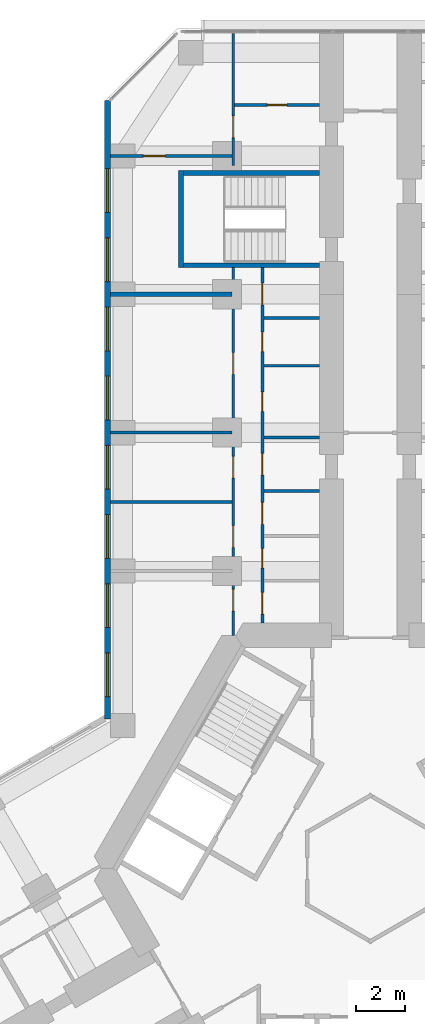
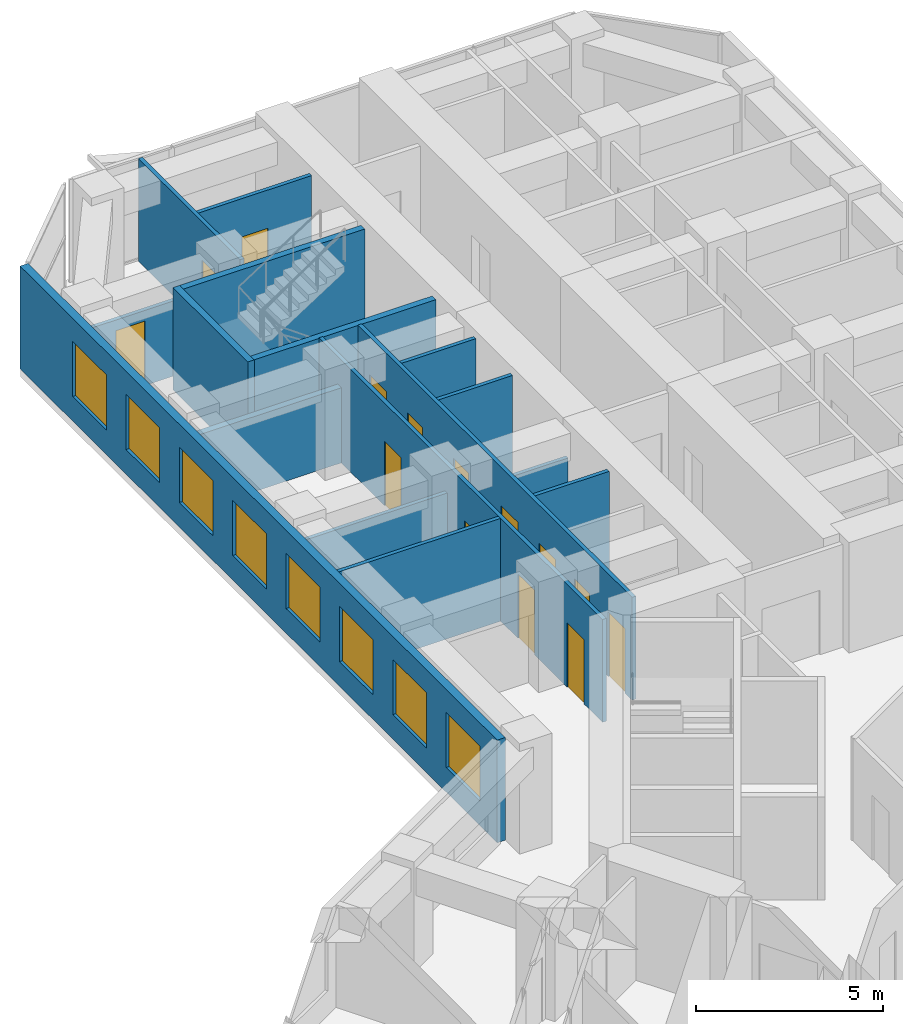
# One storey, part 17 of 21: 16 walls, 14 doors, 8 windows, 22 openings.
"""IFC4 building model written with IfcOpenShell, lengths in metres."""

from ifc_helpers import new_model, si_unit, direction, frame, frame_2d, origin, place, context, subcontext, project, spatial, rectangle, extrude, material, layer, layer_set, type_object, element, fill, save


model = new_model("IFC4")

# Units and contexts
model_context = context("Model", 3, precision=1e-05, world=origin(), true_north=direction((0.0, 1.0)))
body_context = subcontext(model_context, "Body", "Model", "MODEL_VIEW")
ifc_project = project(units=[si_unit("LENGTHUNIT", "METRE"), si_unit("AREAUNIT", "SQUARE_METRE"), si_unit("VOLUMEUNIT", "CUBIC_METRE"), si_unit("PLANEANGLEUNIT", "RADIAN"), si_unit("MASSUNIT", "GRAM", prefix="KILO")], contexts=[model_context])

# Site, building, storey
site_placement = place(None, origin())
site = spatial("IfcSite", under=ifc_project, at=site_placement, CompositionType="ELEMENT")
building_placement = place(site_placement, origin())
building = spatial("IfcBuilding", under=site, at=building_placement, Name="Kosmar Iwan School Tower", CompositionType="ELEMENT")
storey_placement = place(building_placement, frame((0.0, 0.0, 53.800048828125)))
storey = spatial("IfcBuildingStorey", under=building, at=storey_placement, Name="L12", CompositionType="ELEMENT", Elevation=53.800048828125)

# Wall, openings, doors
ifc_material_1 = material(Name="Gypsum board on steel studs", Category="steel")
ifc_layer_1 = layer(ifc_material_1, 0.1201171875)
ifc_layer_set_1 = layer_set([ifc_layer_1], Name="Dwelling partition 120")
wall_type_1 = type_object("IfcWallType", Name="Dwelling partition 120", PredefinedType="PARTITIONING", material=ifc_layer_set_1)
wall_1_placement = place(storey_placement, frame((-4.449951171875, 10.10009765625, 0.0), z_axis=(0.0, 0.0, 1.0), x_axis=(0.0, 1.0, 0.0)))
wall_1 = element("IfcWall", 1, at=wall_1_placement, inside=storey, type_object=wall_type_1, Name="Partition L12-AL1-W1", PredefinedType="PARTITIONING", context=body_context, shape_type="SweptSolid", body=[
    extrude(rectangle(XDim=14.64990234375, YDim=0.1201171875, at=frame_2d((7.324951171875, 0.0))), origin(), (0.0, 0.0, 1.0), 3.349853515625),
])
opening_1_placement = place(wall_1_placement, frame((0.375, 0.0, 0.0)))
opening_1 = element("IfcOpeningElement", 2, at=opening_1_placement, cuts=wall_1, Name="Opening D2", PredefinedType="OPENING", context=body_context, shape_type="SweptSolid", body=[
    extrude(rectangle(XDim=0.89990234375, YDim=2.10009765625, at=frame_2d((0.449951171875, 1.050048828125))), frame((0.0, 0.072021484375, 0.0), z_axis=(0.0, -1.0, 0.0), x_axis=(1.0, 0.0, 0.0)), (0.0, 0.0, 1.0), 0.14404296875),
])
opening_2_placement = place(wall_1_placement, frame((2.27490234375, 0.0, 0.0)))
opening_2 = element("IfcOpeningElement", 3, at=opening_2_placement, cuts=wall_1, Name="Opening D3", PredefinedType="OPENING", context=body_context, shape_type="SweptSolid", body=[
    extrude(rectangle(XDim=0.800048828125, YDim=2.10009765625, at=frame_2d((0.39990234375, 1.050048828125))), frame((0.0, 0.072021484375, 0.0), z_axis=(0.0, -1.0, 0.0), x_axis=(1.0, 0.0, 0.0)), (0.0, 0.0, 1.0), 0.14404296875),
])
opening_3_placement = place(wall_1_placement, frame((4.074951171875, 0.0, 0.0)))
opening_3 = element("IfcOpeningElement", 4, at=opening_3_placement, cuts=wall_1, Name="Opening D2", PredefinedType="OPENING", context=body_context, shape_type="SweptSolid", body=[
    extrude(rectangle(XDim=0.89990234375, YDim=2.10009765625, at=frame_2d((0.449951171875, 1.050048828125))), frame((0.0, 0.072021484375, 0.0), z_axis=(0.0, -1.0, 0.0), x_axis=(1.0, 0.0, 0.0)), (0.0, 0.0, 1.0), 0.14404296875),
])
opening_4_placement = place(wall_1_placement, frame((6.10009765625, 0.0, 0.0)))
opening_4 = element("IfcOpeningElement", 5, at=opening_4_placement, cuts=wall_1, Name="Opening D2", PredefinedType="OPENING", context=body_context, shape_type="SweptSolid", body=[
    extrude(rectangle(XDim=0.89990234375, YDim=2.10009765625, at=frame_2d((0.449951171875, 1.050048828125))), frame((0.0, 0.072021484375, 0.0), z_axis=(0.0, -1.0, 0.0), x_axis=(1.0, 0.0, 0.0)), (0.0, 0.0, 1.0), 0.14404296875),
])
opening_5_placement = place(wall_1_placement, frame((8.728515625, 0.0, 0.0)))
opening_5 = element("IfcOpeningElement", 6, at=opening_5_placement, cuts=wall_1, Name="Opening D3", PredefinedType="OPENING", context=body_context, shape_type="SweptSolid", body=[
    extrude(rectangle(XDim=0.800048828125, YDim=2.10009765625, at=frame_2d((0.39990234375, 1.050048828125))), frame((0.0, 0.072021484375, 0.0), z_axis=(0.0, -1.0, 0.0), x_axis=(1.0, 0.0, 0.0)), (0.0, 0.0, 1.0), 0.14404296875),
])
opening_6_placement = place(wall_1_placement, frame((11.19287109375, 0.0, 0.0)))
opening_6 = element("IfcOpeningElement", 7, at=opening_6_placement, cuts=wall_1, Name="Opening D3", PredefinedType="OPENING", context=body_context, shape_type="SweptSolid", body=[
    extrude(rectangle(XDim=0.800048828125, YDim=2.10009765625, at=frame_2d((0.39990234375, 1.050048828125))), frame((0.0, 0.072021484375, 0.0), z_axis=(0.0, -1.0, 0.0), x_axis=(1.0, 0.0, 0.0)), (0.0, 0.0, 1.0), 0.14404296875),
])
opening_7_placement = place(wall_1_placement, frame((13.1142578125, 0.0, 0.0)))
opening_7 = element("IfcOpeningElement", 8, at=opening_7_placement, cuts=wall_1, Name="Opening D2", PredefinedType="OPENING", context=body_context, shape_type="SweptSolid", body=[
    extrude(rectangle(XDim=0.89990234375, YDim=2.10009765625, at=frame_2d((0.449951171875, 1.050048828125))), frame((0.0, 0.072021484375, 0.0), z_axis=(0.0, -1.0, 0.0), x_axis=(1.0, 0.0, 0.0)), (0.0, 0.0, 1.0), 0.14404296875),
])
ifc_material_2 = material(Name="Timber door in timber frame", Category="wood")
door_type_1 = type_object("IfcDoorType", Name="Internal door 900x2100", OperationType="SINGLE_SWING_LEFT", PredefinedType="DOOR", material=ifc_material_2)
door_1_placement = place(opening_1_placement, origin())
door_1 = element("IfcDoor", 9, at=door_1_placement, inside=storey, type_object=door_type_1, Name="Dressing room door L12-AL1-S1", OperationType="SINGLE_SWING_LEFT", OverallHeight=2.10009765625, OverallWidth=0.89990234375, PredefinedType="DOOR", context=body_context, shape_type="SweptSolid", body=[
    extrude(rectangle(XDim=0.89990234375, YDim=2.10009765625, at=frame_2d((0.449951171875, 1.050048828125))), frame((0.0, 0.02490234375, 0.0), z_axis=(0.0, -1.0, 0.0), x_axis=(1.0, 0.0, 0.0)), (0.0, 0.0, 1.0), 0.050048828125),
])
fill(opening_1, door_1)
door_2_placement = place(opening_3_placement, origin())
door_2 = element("IfcDoor", 10, at=door_2_placement, inside=storey, type_object=door_type_1, Name="Pantry door L12-AL1-S3", OperationType="SINGLE_SWING_LEFT", OverallHeight=2.10009765625, OverallWidth=0.89990234375, PredefinedType="DOOR", context=body_context, shape_type="SweptSolid", body=[
    extrude(rectangle(XDim=0.89990234375, YDim=2.10009765625, at=frame_2d((0.449951171875, 1.050048828125))), frame((0.0, 0.02490234375, 0.0), z_axis=(0.0, -1.0, 0.0), x_axis=(1.0, 0.0, 0.0)), (0.0, 0.0, 1.0), 0.050048828125),
])
fill(opening_3, door_2)
door_3_placement = place(opening_4_placement, origin())
door_3 = element("IfcDoor", 11, at=door_3_placement, inside=storey, type_object=door_type_1, Name="Entrance hall door L12-AL1-S4", OperationType="SINGLE_SWING_LEFT", OverallHeight=2.10009765625, OverallWidth=0.89990234375, PredefinedType="DOOR", context=body_context, shape_type="SweptSolid", body=[
    extrude(rectangle(XDim=0.89990234375, YDim=2.10009765625, at=frame_2d((0.449951171875, 1.050048828125))), frame((0.0, 0.02490234375, 0.0), z_axis=(0.0, -1.0, 0.0), x_axis=(1.0, 0.0, 0.0)), (0.0, 0.0, 1.0), 0.050048828125),
])
fill(opening_4, door_3)
door_4_placement = place(opening_7_placement, frame((0.89990234375, 0.0, 0.0), z_axis=(0.0, 0.0, 1.0), x_axis=(-1.0, 0.0, 0.0)))
door_4 = element("IfcDoor", 12, at=door_4_placement, inside=storey, type_object=door_type_1, Name="Utility room door L12-AL1-S7", OperationType="SINGLE_SWING_LEFT", OverallHeight=2.10009765625, OverallWidth=0.89990234375, PredefinedType="DOOR", context=body_context, shape_type="SweptSolid", body=[
    extrude(rectangle(XDim=0.89990234375, YDim=2.10009765625, at=frame_2d((0.449951171875, 1.050048828125))), frame((0.0, 0.02490234375, 0.0), z_axis=(0.0, -1.0, 0.0), x_axis=(1.0, 0.0, 0.0)), (0.0, 0.0, 1.0), 0.050048828125),
])
fill(opening_7, door_4)
ifc_material_3 = material(Name="Timber door in timber frame", Category="wood")
door_type_2 = type_object("IfcDoorType", Name="Sanitary room door 800x2100", OperationType="SINGLE_SWING_LEFT", PredefinedType="DOOR", material=ifc_material_3)
door_5_placement = place(opening_2_placement, origin())
door_5 = element("IfcDoor", 13, at=door_5_placement, inside=storey, type_object=door_type_2, Name="Store door L12-AL1-S2", OperationType="SINGLE_SWING_LEFT", OverallHeight=2.10009765625, OverallWidth=0.800048828125, PredefinedType="DOOR", context=body_context, shape_type="SweptSolid", body=[
    extrude(rectangle(XDim=0.800048828125, YDim=2.10009765625, at=frame_2d((0.39990234375, 1.050048828125))), frame((0.0, 0.02490234375, 0.0), z_axis=(0.0, -1.0, 0.0), x_axis=(1.0, 0.0, 0.0)), (0.0, 0.0, 1.0), 0.050048828125),
])
fill(opening_2, door_5)
door_6_placement = place(opening_5_placement, origin())
door_6 = element("IfcDoor", 14, at=door_6_placement, inside=storey, type_object=door_type_2, Name="Bathroom door L12-AL1-S5", OperationType="SINGLE_SWING_RIGHT", OverallHeight=2.10009765625, OverallWidth=0.800048828125, PredefinedType="DOOR", context=body_context, shape_type="SweptSolid", body=[
    extrude(rectangle(XDim=0.800048828125, YDim=2.10009765625, at=frame_2d((0.39990234375, 1.050048828125))), frame((0.0, 0.02490234375, 0.0), z_axis=(0.0, -1.0, 0.0), x_axis=(1.0, 0.0, 0.0)), (0.0, 0.0, 1.0), 0.050048828125),
])
fill(opening_5, door_6)
door_7_placement = place(opening_6_placement, origin())
door_7 = element("IfcDoor", 15, at=door_7_placement, inside=storey, type_object=door_type_2, Name="WC door L12-AL1-S6", OperationType="SINGLE_SWING_RIGHT", OverallHeight=2.10009765625, OverallWidth=0.800048828125, PredefinedType="DOOR", context=body_context, shape_type="SweptSolid", body=[
    extrude(rectangle(XDim=0.800048828125, YDim=2.10009765625, at=frame_2d((0.39990234375, 1.050048828125))), frame((0.0, 0.02490234375, 0.0), z_axis=(0.0, -1.0, 0.0), x_axis=(1.0, 0.0, 0.0)), (0.0, 0.0, 1.0), 0.050048828125),
])
fill(opening_6, door_7)

wall_2_placement = place(storey_placement, frame((-5.64990234375, 9.60009765625, 0.0), z_axis=(0.0, 0.0, 1.0), x_axis=(0.0, 1.0, 0.0)))
wall_2 = element("IfcWall", 16, at=wall_2_placement, inside=storey, type_object=wall_type_1, Name="Partition L12-AL1-W2", PredefinedType="PARTITIONING", context=body_context, shape_type="SweptSolid", body=[
    extrude(rectangle(XDim=15.14990234375, YDim=0.1201171875, at=frame_2d((7.574951171875, 0.0))), origin(), (0.0, 0.0, 1.0), 3.349853515625),
])
opening_8_placement = place(wall_2_placement, frame((1.0, 0.0, 0.0)))
opening_8 = element("IfcOpeningElement", 17, at=opening_8_placement, cuts=wall_2, Name="Opening D2", PredefinedType="OPENING", context=body_context, shape_type="SweptSolid", body=[
    extrude(rectangle(XDim=0.89990234375, YDim=2.10009765625, at=frame_2d((0.449951171875, 1.050048828125))), frame((0.0, 0.072021484375, 0.0), z_axis=(0.0, -1.0, 0.0), x_axis=(1.0, 0.0, 0.0)), (0.0, 0.0, 1.0), 0.14404296875),
])
opening_9_placement = place(wall_2_placement, frame((3.625, 0.0, 0.0)))
opening_9 = element("IfcOpeningElement", 18, at=opening_9_placement, cuts=wall_2, Name="Opening D2", PredefinedType="OPENING", context=body_context, shape_type="SweptSolid", body=[
    extrude(rectangle(XDim=0.89990234375, YDim=2.10009765625, at=frame_2d((0.449951171875, 1.050048828125))), frame((0.0, 0.072021484375, 0.0), z_axis=(0.0, -1.0, 0.0), x_axis=(1.0, 0.0, 0.0)), (0.0, 0.0, 1.0), 0.14404296875),
])
opening_10_placement = place(wall_2_placement, frame((6.47509765625, 0.0, 0.0)))
opening_10 = element("IfcOpeningElement", 19, at=opening_10_placement, cuts=wall_2, Name="Opening D2", PredefinedType="OPENING", context=body_context, shape_type="SweptSolid", body=[
    extrude(rectangle(XDim=0.89990234375, YDim=2.10009765625, at=frame_2d((0.449951171875, 1.050048828125))), frame((0.0, 0.072021484375, 0.0), z_axis=(0.0, -1.0, 0.0), x_axis=(1.0, 0.0, 0.0)), (0.0, 0.0, 1.0), 0.14404296875),
])
opening_11_placement = place(wall_2_placement, frame((10.75, 0.0, 0.0)))
opening_11 = element("IfcOpeningElement", 20, at=opening_11_placement, cuts=wall_2, Name="Opening D2", PredefinedType="OPENING", context=body_context, shape_type="SweptSolid", body=[
    extrude(rectangle(XDim=0.89990234375, YDim=2.10009765625, at=frame_2d((0.449951171875, 1.050048828125))), frame((0.0, 0.072021484375, 0.0), z_axis=(0.0, -1.0, 0.0), x_axis=(1.0, 0.0, 0.0)), (0.0, 0.0, 1.0), 0.14404296875),
])
door_8_placement = place(opening_8_placement, origin())
door_8 = element("IfcDoor", 21, at=door_8_placement, inside=storey, type_object=door_type_1, Name="Family room door L12-AL1-F1", OperationType="SINGLE_SWING_LEFT", OverallHeight=2.10009765625, OverallWidth=0.89990234375, PredefinedType="DOOR", context=body_context, shape_type="SweptSolid", body=[
    extrude(rectangle(XDim=0.89990234375, YDim=2.10009765625, at=frame_2d((0.449951171875, 1.050048828125))), frame((0.0, 0.02490234375, 0.0), z_axis=(0.0, -1.0, 0.0), x_axis=(1.0, 0.0, 0.0)), (0.0, 0.0, 1.0), 0.050048828125),
])
fill(opening_8, door_8)
door_9_placement = place(opening_9_placement, origin())
door_9 = element("IfcDoor", 22, at=door_9_placement, inside=storey, type_object=door_type_1, Name="Study door L12-AL1-F2", OperationType="SINGLE_SWING_LEFT", OverallHeight=2.10009765625, OverallWidth=0.89990234375, PredefinedType="DOOR", context=body_context, shape_type="SweptSolid", body=[
    extrude(rectangle(XDim=0.89990234375, YDim=2.10009765625, at=frame_2d((0.449951171875, 1.050048828125))), frame((0.0, 0.02490234375, 0.0), z_axis=(0.0, -1.0, 0.0), x_axis=(1.0, 0.0, 0.0)), (0.0, 0.0, 1.0), 0.050048828125),
])
fill(opening_9, door_9)
door_10_placement = place(opening_10_placement, origin())
door_10 = element("IfcDoor", 23, at=door_10_placement, inside=storey, type_object=door_type_1, Name="Bedroom 1 door L12-AL1-F3", OperationType="SINGLE_SWING_RIGHT", OverallHeight=2.10009765625, OverallWidth=0.89990234375, PredefinedType="DOOR", context=body_context, shape_type="SweptSolid", body=[
    extrude(rectangle(XDim=0.89990234375, YDim=2.10009765625, at=frame_2d((0.449951171875, 1.050048828125))), frame((0.0, 0.02490234375, 0.0), z_axis=(0.0, -1.0, 0.0), x_axis=(1.0, 0.0, 0.0)), (0.0, 0.0, 1.0), 0.050048828125),
])
fill(opening_10, door_10)
door_11_placement = place(opening_11_placement, origin())
door_11 = element("IfcDoor", 24, at=door_11_placement, inside=storey, type_object=door_type_1, Name="Living room and kitchen door L12-AL1-F4", OperationType="SINGLE_SWING_LEFT", OverallHeight=2.10009765625, OverallWidth=0.89990234375, PredefinedType="DOOR", context=body_context, shape_type="SweptSolid", body=[
    extrude(rectangle(XDim=0.89990234375, YDim=2.10009765625, at=frame_2d((0.449951171875, 1.050048828125))), frame((0.0, 0.02490234375, 0.0), z_axis=(0.0, -1.0, 0.0), x_axis=(1.0, 0.0, 0.0)), (0.0, 0.0, 1.0), 0.050048828125),
])
fill(opening_11, door_11)

# Walls
wall_3_placement = place(storey_placement, frame((-5.7099609375, 15.10009765625, 0.0), z_axis=(0.0, 0.0, 1.0), x_axis=(-1.0, 0.0, 0.0)))
element("IfcWall", 25, at=wall_3_placement, inside=storey, type_object=wall_type_1, Name="Partition L12-AL1-X2", PredefinedType="PARTITIONING", context=body_context, shape_type="SweptSolid", body=[
    extrude(rectangle(XDim=4.989990234375, YDim=0.1201171875, at=frame_2d((2.4951171875, 0.0))), origin(), (0.0, 0.0, 1.0), 3.349853515625),
])
wall_4_placement = place(storey_placement, frame((-5.7099609375, 17.949951171875, 0.0), z_axis=(0.0, 0.0, 1.0), x_axis=(-1.0, 0.0, 0.0)))
element("IfcWall", 26, at=wall_4_placement, inside=storey, type_object=wall_type_1, Name="Partition L12-AL1-X3", PredefinedType="PARTITIONING", context=body_context, shape_type="SweptSolid", body=[
    extrude(rectangle(XDim=4.989990234375, YDim=0.1201171875, at=frame_2d((2.4951171875, 0.0))), origin(), (0.0, 0.0, 1.0), 2.449951171875),
])
wall_5_placement = place(storey_placement, frame((-2.10009765625, 15.550048828125, 0.0), z_axis=(0.0, 0.0, 1.0), x_axis=(-1.0, 0.0, 0.0)))
element("IfcWall", 27, at=wall_5_placement, inside=storey, type_object=wall_type_1, Name="Partition L12-AL1-Y3", PredefinedType="PARTITIONING", context=body_context, shape_type="SweptSolid", body=[
    extrude(rectangle(XDim=2.289794921875, YDim=0.1201171875, at=frame_2d((1.14501953125, 0.0))), origin(), (0.0, 0.0, 1.0), 3.349853515625),
])
wall_6_placement = place(storey_placement, frame((-2.10009765625, 17.75, 0.0), z_axis=(0.0, 0.0, 1.0), x_axis=(-1.0, 0.0, 0.0)))
element("IfcWall", 28, at=wall_6_placement, inside=storey, type_object=wall_type_1, Name="Partition L12-AL1-Y4", PredefinedType="PARTITIONING", context=body_context, shape_type="SweptSolid", body=[
    extrude(rectangle(XDim=2.289794921875, YDim=0.1201171875, at=frame_2d((1.14501953125, 0.0))), origin(), (0.0, 0.0, 1.0), 2.449951171875),
])
for number, where, z_axis, x_axis, name in (
    (29, (-2.10009765625, 20.70703125, 0.0), (0.0, 0.0, 1.0), (-1.0, 0.0, 0.0), "Partition L12-AL1-Y5"),
    (30, (-2.10009765625, 22.678466796875, 0.0), (0.0, 0.0, 1.0), (-1.0, 0.0, 0.0), "Partition L12-AL1-Y6"),
):
    element("IfcWall", number, at=place(storey_placement, frame(where, z_axis=z_axis, x_axis=x_axis)), inside=storey, type_object=wall_type_1, Name=name, PredefinedType="PARTITIONING", context=body_context, shape_type="SweptSolid", body=[
        extrude(rectangle(XDim=2.289794921875, YDim=0.1201171875, at=frame_2d((1.14501953125, 0.0))), origin(), (0.0, 0.0, 1.0), 3.349853515625),
    ])

# Wall, opening, door
wall_7_placement = place(storey_placement, frame((-5.7099609375, 29.35009765625, 0.0), z_axis=(0.0, 0.0, 1.0), x_axis=(-1.0, 0.0, 0.0)))
wall_7 = element("IfcWall", 31, at=wall_7_placement, inside=storey, type_object=wall_type_1, Name="Partition L12-AL2-TX", PredefinedType="PARTITIONING", context=body_context, shape_type="SweptSolid", body=[
    extrude(rectangle(XDim=4.989990234375, YDim=0.1201171875, at=frame_2d((2.4951171875, 0.0))), origin(), (0.0, 0.0, 1.0), 2.449951171875),
])
opening_12_placement = place(wall_7_placement, frame((2.739990234375, 0.0, 0.0)))
opening_12 = element("IfcOpeningElement", 32, at=opening_12_placement, cuts=wall_7, Name="Opening D2", PredefinedType="OPENING", context=body_context, shape_type="SweptSolid", body=[
    extrude(rectangle(XDim=0.89990234375, YDim=2.10009765625, at=frame_2d((0.449951171875, 1.050048828125))), frame((0.0, 0.072021484375, 0.0), z_axis=(0.0, -1.0, 0.0), x_axis=(1.0, 0.0, 0.0)), (0.0, 0.0, 1.0), 0.14404296875),
])
door_12_placement = place(opening_12_placement, origin())
door_12 = element("IfcDoor", 33, at=door_12_placement, inside=storey, type_object=door_type_1, Name="Bedroom 1 door L12-AL2-T1", OperationType="SINGLE_SWING_RIGHT", OverallHeight=2.10009765625, OverallWidth=0.89990234375, PredefinedType="DOOR", context=body_context, shape_type="SweptSolid", body=[
    extrude(rectangle(XDim=0.89990234375, YDim=2.10009765625, at=frame_2d((0.449951171875, 1.050048828125))), frame((0.0, 0.02490234375, 0.0), z_axis=(0.0, -1.0, 0.0), x_axis=(1.0, 0.0, 0.0)), (0.0, 0.0, 1.0), 0.050048828125),
])
fill(opening_12, door_12)

wall_8_placement = place(storey_placement, frame((-5.64990234375, 28.949951171875, 0.0), z_axis=(0.0, 0.0, 1.0), x_axis=(0.0, 1.0, 0.0)))
wall_8 = element("IfcWall", 34, at=wall_8_placement, inside=storey, type_object=wall_type_1, Name="Partition L12-AL2-TW", PredefinedType="PARTITIONING", context=body_context, shape_type="SweptSolid", body=[
    extrude(rectangle(XDim=5.445068359375, YDim=0.1201171875, at=frame_2d((2.72265625, 0.0))), origin(), (0.0, 0.0, 1.0), 3.349853515625),
])
opening_13_placement = place(wall_8_placement, frame((1.14990234375, 0.0, 0.0)))
opening_13 = element("IfcOpeningElement", 35, at=opening_13_placement, cuts=wall_8, Name="Opening D2", PredefinedType="OPENING", context=body_context, shape_type="SweptSolid", body=[
    extrude(rectangle(XDim=0.89990234375, YDim=2.10009765625, at=frame_2d((0.449951171875, 1.050048828125))), frame((0.0, 0.072021484375, 0.0), z_axis=(0.0, -1.0, 0.0), x_axis=(1.0, 0.0, 0.0)), (0.0, 0.0, 1.0), 0.14404296875),
])
door_13_placement = place(opening_13_placement, origin())
door_13 = element("IfcDoor", 36, at=door_13_placement, inside=storey, type_object=door_type_1, Name="Entrance hall door L12-AL2-T3", OperationType="SINGLE_SWING_LEFT", OverallHeight=2.10009765625, OverallWidth=0.89990234375, PredefinedType="DOOR", context=body_context, shape_type="SweptSolid", body=[
    extrude(rectangle(XDim=0.89990234375, YDim=2.10009765625, at=frame_2d((0.449951171875, 1.050048828125))), frame((0.0, 0.02490234375, 0.0), z_axis=(0.0, -1.0, 0.0), x_axis=(1.0, 0.0, 0.0)), (0.0, 0.0, 1.0), 0.050048828125),
])
fill(opening_13, door_13)

wall_9_placement = place(storey_placement, frame((-2.10009765625, 31.449951171875, 0.0), z_axis=(0.0, 0.0, 1.0), x_axis=(-1.0, 0.0, 0.0)))
wall_9 = element("IfcWall", 37, at=wall_9_placement, inside=storey, type_object=wall_type_1, Name="Partition L12-AL2-TY", PredefinedType="PARTITIONING", context=body_context, shape_type="SweptSolid", body=[
    extrude(rectangle(XDim=3.489990234375, YDim=0.1201171875, at=frame_2d((1.7451171875, 0.0))), origin(), (0.0, 0.0, 1.0), 3.349853515625),
])
opening_14_placement = place(wall_9_placement, frame((1.344970703125, 0.0, 0.0)))
opening_14 = element("IfcOpeningElement", 38, at=opening_14_placement, cuts=wall_9, Name="Opening D3", PredefinedType="OPENING", context=body_context, shape_type="SweptSolid", body=[
    extrude(rectangle(XDim=0.800048828125, YDim=2.10009765625, at=frame_2d((0.39990234375, 1.050048828125))), frame((0.0, 0.072021484375, 0.0), z_axis=(0.0, -1.0, 0.0), x_axis=(1.0, 0.0, 0.0)), (0.0, 0.0, 1.0), 0.14404296875),
])
door_14_placement = place(opening_14_placement, origin())
door_14 = element("IfcDoor", 39, at=door_14_placement, inside=storey, type_object=door_type_2, Name="Bathroom door L12-AL2-T4", OperationType="SINGLE_SWING_LEFT", OverallHeight=2.10009765625, OverallWidth=0.800048828125, PredefinedType="DOOR", context=body_context, shape_type="SweptSolid", body=[
    extrude(rectangle(XDim=0.800048828125, YDim=2.10009765625, at=frame_2d((0.39990234375, 1.050048828125))), frame((0.0, 0.02490234375, 0.0), z_axis=(0.0, -1.0, 0.0), x_axis=(1.0, 0.0, 0.0)), (0.0, 0.0, 1.0), 0.050048828125),
])
fill(opening_14, door_14)

# Walls
ifc_material_4 = material(Name="Concrete C35/45", Category="concrete")
ifc_layer_2 = layer(ifc_material_4, 0.199951171875)
ifc_layer_set_2 = layer_set([ifc_layer_2], Name="Escape stair wall 200")
wall_type_2 = type_object("IfcWallType", Name="Escape stair wall 200", PredefinedType="SHEAR", material=ifc_layer_set_2)
for number, where, z_axis, x_axis, name in (
    (40, (-2.10009765625, 24.85009765625, 0.0), (0.0, 0.0, 1.0), (-1.0, 0.0, 0.0), "Stair WS1 wall"),
    (41, (-2.10009765625, 28.64990234375, 0.0), (0.0, 0.0, 1.0), (-1.0, 0.0, 0.0), "Stair WS1 wall"),
):
    element("IfcWall", number, at=place(storey_placement, frame(where, z_axis=z_axis, x_axis=x_axis)), inside=storey, type_object=wall_type_2, Name=name, PredefinedType="SHEAR", context=body_context, shape_type="SweptSolid", body=[
        extrude(rectangle(XDim=5.7998046875, YDim=0.199951171875, at=frame_2d((2.89990234375, 0.0))), origin(), (0.0, 0.0, 1.0), 3.329833984375),
    ])
wall_10_placement = place(storey_placement, frame((-7.800048828125, 24.75, 0.0), z_axis=(0.0, 0.0, 1.0), x_axis=(0.0, 1.0, 0.0)))
element("IfcWall", 42, at=wall_10_placement, inside=storey, type_object=wall_type_2, Name="Stair WS1 wall", PredefinedType="SHEAR", context=body_context, shape_type="SweptSolid", body=[
    extrude(rectangle(XDim=4.0, YDim=0.199951171875, at=frame_2d((2.0, 0.0))), origin(), (0.0, 0.0, 1.0), 3.329833984375),
])

# Wall, openings, windows
ifc_material_5 = material(Name="Black aluminium rainscreen on insulated framing", Category="aluminium")
ifc_layer_3 = layer(ifc_material_5, 0.25)
ifc_layer_set_3 = layer_set([ifc_layer_3], Name="External wall rainscreen 250")
wall_type_3 = type_object("IfcWallType", Name="External wall rainscreen 250", PredefinedType="SOLIDWALL", material=ifc_layer_set_3)
wall_11_placement = place(storey_placement, frame((-10.824951171875, 6.14794921875, 0.0), z_axis=(0.0, 0.0, 1.0), x_axis=(0.0, 1.0, 0.0)))
wall_11 = element("IfcWall", 43, at=wall_11_placement, inside=storey, type_object=wall_type_3, Name="External wall AL L12", PredefinedType="SOLIDWALL", context=body_context, shape_type="SweptSolid", body=[
    extrude(rectangle(XDim=25.4873046875, YDim=0.25, at=frame_2d((12.74365234375, 0.0))), origin(), (0.0, 0.0, 1.0), 3.349853515625),
])
opening_15_placement = place(wall_11_placement, frame((0.927001953125, 0.0, 0.800048828125)))
opening_15 = element("IfcOpeningElement", 44, at=opening_15_placement, cuts=wall_11, Name="Opening W1", PredefinedType="OPENING", context=body_context, shape_type="SweptSolid", body=[
    extrude(rectangle(XDim=1.800048828125, YDim=1.800048828125, at=frame_2d((0.89990234375, 0.89990234375))), frame((0.0, 0.136962890625, 0.0), z_axis=(0.0, -1.0, 0.0), x_axis=(1.0, 0.0, 0.0)), (0.0, 0.0, 1.0), 0.27392578125),
])
opening_16_placement = place(wall_11_placement, frame((3.777099609375, 0.0, 0.800048828125)))
opening_16 = element("IfcOpeningElement", 45, at=opening_16_placement, cuts=wall_11, Name="Opening W1", PredefinedType="OPENING", context=body_context, shape_type="SweptSolid", body=[
    extrude(rectangle(XDim=1.800048828125, YDim=1.800048828125, at=frame_2d((0.89990234375, 0.89990234375))), frame((0.0, 0.136962890625, 0.0), z_axis=(0.0, -1.0, 0.0), x_axis=(1.0, 0.0, 0.0)), (0.0, 0.0, 1.0), 0.27392578125),
])
opening_17_placement = place(wall_11_placement, frame((6.626953125, 0.0, 0.800048828125)))
opening_17 = element("IfcOpeningElement", 46, at=opening_17_placement, cuts=wall_11, Name="Opening W1", PredefinedType="OPENING", context=body_context, shape_type="SweptSolid", body=[
    extrude(rectangle(XDim=1.800048828125, YDim=1.800048828125, at=frame_2d((0.89990234375, 0.89990234375))), frame((0.0, 0.136962890625, 0.0), z_axis=(0.0, -1.0, 0.0), x_axis=(1.0, 0.0, 0.0)), (0.0, 0.0, 1.0), 0.27392578125),
])
opening_18_placement = place(wall_11_placement, frame((9.47705078125, 0.0, 0.800048828125)))
opening_18 = element("IfcOpeningElement", 47, at=opening_18_placement, cuts=wall_11, Name="Opening W1", PredefinedType="OPENING", context=body_context, shape_type="SweptSolid", body=[
    extrude(rectangle(XDim=1.800048828125, YDim=1.800048828125, at=frame_2d((0.89990234375, 0.89990234375))), frame((0.0, 0.136962890625, 0.0), z_axis=(0.0, -1.0, 0.0), x_axis=(1.0, 0.0, 0.0)), (0.0, 0.0, 1.0), 0.27392578125),
])
opening_19_placement = place(wall_11_placement, frame((12.326904296875, 0.0, 0.800048828125)))
opening_19 = element("IfcOpeningElement", 48, at=opening_19_placement, cuts=wall_11, Name="Opening W1", PredefinedType="OPENING", context=body_context, shape_type="SweptSolid", body=[
    extrude(rectangle(XDim=1.800048828125, YDim=1.800048828125, at=frame_2d((0.89990234375, 0.89990234375))), frame((0.0, 0.136962890625, 0.0), z_axis=(0.0, -1.0, 0.0), x_axis=(1.0, 0.0, 0.0)), (0.0, 0.0, 1.0), 0.27392578125),
])
opening_20_placement = place(wall_11_placement, frame((15.177001953125, 0.0, 0.800048828125)))
opening_20 = element("IfcOpeningElement", 49, at=opening_20_placement, cuts=wall_11, Name="Opening W1", PredefinedType="OPENING", context=body_context, shape_type="SweptSolid", body=[
    extrude(rectangle(XDim=1.800048828125, YDim=1.800048828125, at=frame_2d((0.89990234375, 0.89990234375))), frame((0.0, 0.136962890625, 0.0), z_axis=(0.0, -1.0, 0.0), x_axis=(1.0, 0.0, 0.0)), (0.0, 0.0, 1.0), 0.27392578125),
])
opening_21_placement = place(wall_11_placement, frame((18.027099609375, 0.0, 0.800048828125)))
opening_21 = element("IfcOpeningElement", 50, at=opening_21_placement, cuts=wall_11, Name="Opening W1", PredefinedType="OPENING", context=body_context, shape_type="SweptSolid", body=[
    extrude(rectangle(XDim=1.800048828125, YDim=1.800048828125, at=frame_2d((0.89990234375, 0.89990234375))), frame((0.0, 0.136962890625, 0.0), z_axis=(0.0, -1.0, 0.0), x_axis=(1.0, 0.0, 0.0)), (0.0, 0.0, 1.0), 0.27392578125),
])
opening_22_placement = place(wall_11_placement, frame((20.876953125, 0.0, 0.800048828125)))
opening_22 = element("IfcOpeningElement", 51, at=opening_22_placement, cuts=wall_11, Name="Opening W1", PredefinedType="OPENING", context=body_context, shape_type="SweptSolid", body=[
    extrude(rectangle(XDim=1.800048828125, YDim=1.800048828125, at=frame_2d((0.89990234375, 0.89990234375))), frame((0.0, 0.136962890625, 0.0), z_axis=(0.0, -1.0, 0.0), x_axis=(1.0, 0.0, 0.0)), (0.0, 0.0, 1.0), 0.27392578125),
])
ifc_material_6 = material(Name="Black aluminium frame with dark triple glazing", Category="aluminium")
window_type = type_object("IfcWindowType", Name="Window 1800x1800", PartitioningType="SINGLE_PANEL", PredefinedType="WINDOW", material=ifc_material_6)
window_1_placement = place(opening_15_placement, origin())
window_1 = element("IfcWindow", 52, at=window_1_placement, inside=storey, type_object=window_type, Name="Window AL L12 -1", OverallHeight=1.800048828125, OverallWidth=1.800048828125, PartitioningType="SINGLE_PANEL", PredefinedType="WINDOW", context=body_context, shape_type="SweptSolid", body=[
    extrude(rectangle(XDim=1.800048828125, YDim=1.800048828125, at=frame_2d((0.89990234375, 0.89990234375))), frame((0.0, 0.030029296875, 0.0), z_axis=(0.0, -1.0, 0.0), x_axis=(1.0, 0.0, 0.0)), (0.0, 0.0, 1.0), 0.06005859375),
])
fill(opening_15, window_1)
window_2_placement = place(opening_16_placement, origin())
window_2 = element("IfcWindow", 53, at=window_2_placement, inside=storey, type_object=window_type, Name="Window AL L12 0", OverallHeight=1.800048828125, OverallWidth=1.800048828125, PartitioningType="SINGLE_PANEL", PredefinedType="WINDOW", context=body_context, shape_type="SweptSolid", body=[
    extrude(rectangle(XDim=1.800048828125, YDim=1.800048828125, at=frame_2d((0.89990234375, 0.89990234375))), frame((0.0, 0.030029296875, 0.0), z_axis=(0.0, -1.0, 0.0), x_axis=(1.0, 0.0, 0.0)), (0.0, 0.0, 1.0), 0.06005859375),
])
fill(opening_16, window_2)
window_3_placement = place(opening_17_placement, origin())
window_3 = element("IfcWindow", 54, at=window_3_placement, inside=storey, type_object=window_type, Name="Window AL L12 1", OverallHeight=1.800048828125, OverallWidth=1.800048828125, PartitioningType="SINGLE_PANEL", PredefinedType="WINDOW", context=body_context, shape_type="SweptSolid", body=[
    extrude(rectangle(XDim=1.800048828125, YDim=1.800048828125, at=frame_2d((0.89990234375, 0.89990234375))), frame((0.0, 0.030029296875, 0.0), z_axis=(0.0, -1.0, 0.0), x_axis=(1.0, 0.0, 0.0)), (0.0, 0.0, 1.0), 0.06005859375),
])
fill(opening_17, window_3)
window_4_placement = place(opening_18_placement, origin())
window_4 = element("IfcWindow", 55, at=window_4_placement, inside=storey, type_object=window_type, Name="Window AL L12 2", OverallHeight=1.800048828125, OverallWidth=1.800048828125, PartitioningType="SINGLE_PANEL", PredefinedType="WINDOW", context=body_context, shape_type="SweptSolid", body=[
    extrude(rectangle(XDim=1.800048828125, YDim=1.800048828125, at=frame_2d((0.89990234375, 0.89990234375))), frame((0.0, 0.030029296875, 0.0), z_axis=(0.0, -1.0, 0.0), x_axis=(1.0, 0.0, 0.0)), (0.0, 0.0, 1.0), 0.06005859375),
])
fill(opening_18, window_4)
window_5_placement = place(opening_19_placement, origin())
window_5 = element("IfcWindow", 56, at=window_5_placement, inside=storey, type_object=window_type, Name="Window AL L12 3", OverallHeight=1.800048828125, OverallWidth=1.800048828125, PartitioningType="SINGLE_PANEL", PredefinedType="WINDOW", context=body_context, shape_type="SweptSolid", body=[
    extrude(rectangle(XDim=1.800048828125, YDim=1.800048828125, at=frame_2d((0.89990234375, 0.89990234375))), frame((0.0, 0.030029296875, 0.0), z_axis=(0.0, -1.0, 0.0), x_axis=(1.0, 0.0, 0.0)), (0.0, 0.0, 1.0), 0.06005859375),
])
fill(opening_19, window_5)
window_6_placement = place(opening_20_placement, origin())
window_6 = element("IfcWindow", 57, at=window_6_placement, inside=storey, type_object=window_type, Name="Window AL L12 4", OverallHeight=1.800048828125, OverallWidth=1.800048828125, PartitioningType="SINGLE_PANEL", PredefinedType="WINDOW", context=body_context, shape_type="SweptSolid", body=[
    extrude(rectangle(XDim=1.800048828125, YDim=1.800048828125, at=frame_2d((0.89990234375, 0.89990234375))), frame((0.0, 0.030029296875, 0.0), z_axis=(0.0, -1.0, 0.0), x_axis=(1.0, 0.0, 0.0)), (0.0, 0.0, 1.0), 0.06005859375),
])
fill(opening_20, window_6)
window_7_placement = place(opening_21_placement, origin())
window_7 = element("IfcWindow", 58, at=window_7_placement, inside=storey, type_object=window_type, Name="Window AL L12 5", OverallHeight=1.800048828125, OverallWidth=1.800048828125, PartitioningType="SINGLE_PANEL", PredefinedType="WINDOW", context=body_context, shape_type="SweptSolid", body=[
    extrude(rectangle(XDim=1.800048828125, YDim=1.800048828125, at=frame_2d((0.89990234375, 0.89990234375))), frame((0.0, 0.030029296875, 0.0), z_axis=(0.0, -1.0, 0.0), x_axis=(1.0, 0.0, 0.0)), (0.0, 0.0, 1.0), 0.06005859375),
])
fill(opening_21, window_7)
window_8_placement = place(opening_22_placement, origin())
window_8 = element("IfcWindow", 59, at=window_8_placement, inside=storey, type_object=window_type, Name="Window AL L12 6", OverallHeight=1.800048828125, OverallWidth=1.800048828125, PartitioningType="SINGLE_PANEL", PredefinedType="WINDOW", context=body_context, shape_type="SweptSolid", body=[
    extrude(rectangle(XDim=1.800048828125, YDim=1.800048828125, at=frame_2d((0.89990234375, 0.89990234375))), frame((0.0, 0.030029296875, 0.0), z_axis=(0.0, -1.0, 0.0), x_axis=(1.0, 0.0, 0.0)), (0.0, 0.0, 1.0), 0.06005859375),
])
fill(opening_22, window_8)

# Wall
ifc_material_7 = material(Name="Concrete block masonry", Category="masonry")
ifc_layer_4 = layer(ifc_material_7, 0.199951171875)
ifc_layer_set_4 = layer_set([ifc_layer_4], Name="Party wall 200")
wall_type_4 = type_object("IfcWallType", Name="Party wall 200", PredefinedType="PARTITIONING", material=ifc_layer_set_4)
wall_12_placement = place(storey_placement, frame((-5.7099609375, 23.64990234375, 0.0), z_axis=(0.0, 0.0, 1.0), x_axis=(-1.0, 0.0, 0.0)))
element("IfcWall", 60, at=wall_12_placement, inside=storey, type_object=wall_type_4, Name="Partition L12-AL2-TB", PredefinedType="PARTITIONING", context=body_context, shape_type="SweptSolid", body=[
    extrude(rectangle(XDim=4.989990234375, YDim=0.199951171875, at=frame_2d((2.4951171875, 0.0))), origin(), (0.0, 0.0, 1.0), 2.449951171875),
])

save(model, "model.ifc")
